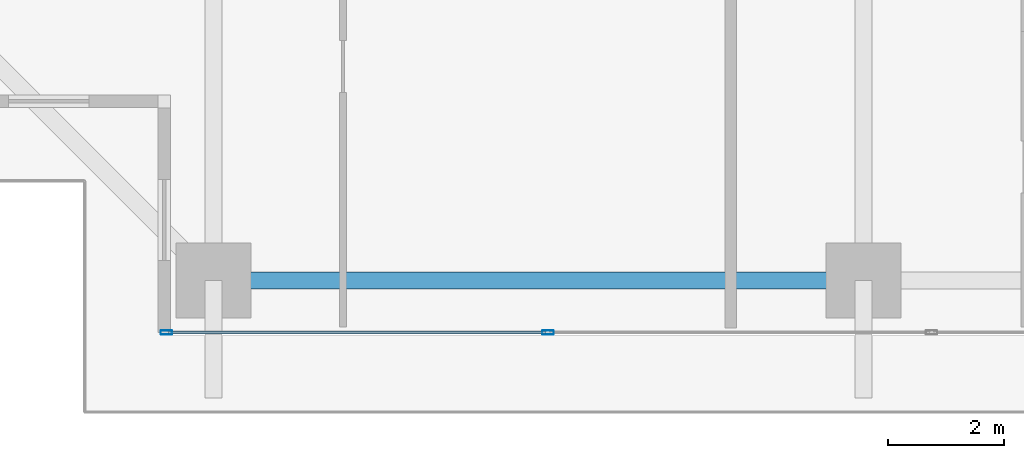
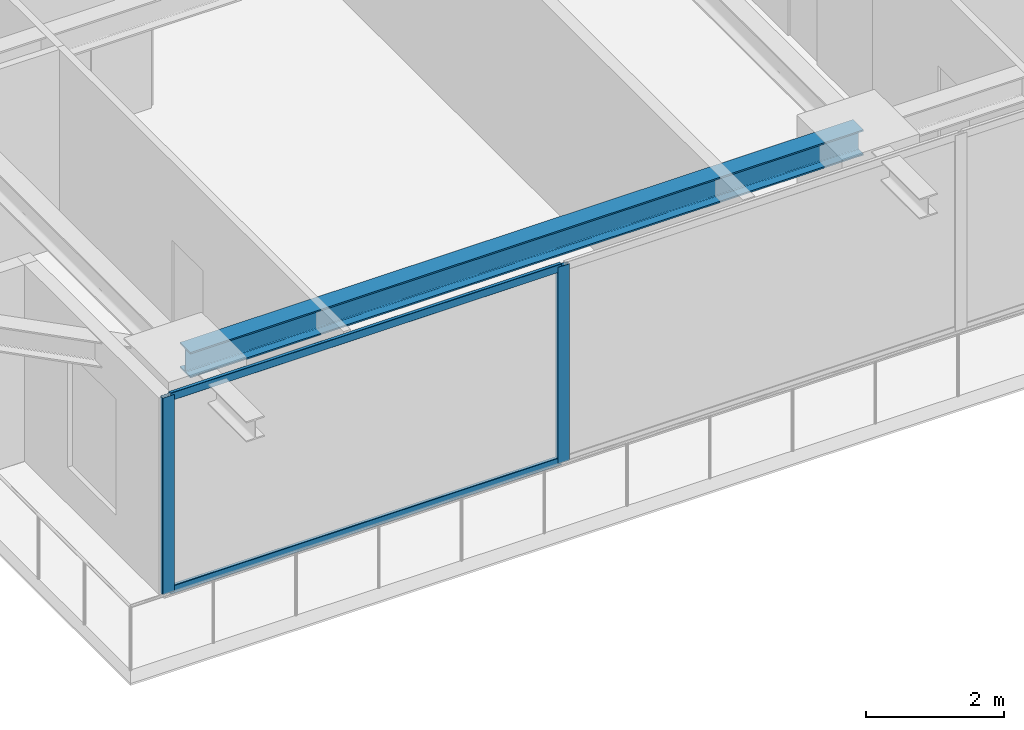
# One storey, part 2 of 34: 4 members, 1 beam, 1 element without a shape of its own.
"""IFC4 building model written with IfcOpenShell, lengths in metres."""

from ifc_helpers import new_model, si_unit, direction, frame, origin, origin_2d, place, context, subcontext, project, spatial, hollow_rectangle, i_section, extrude, source, transform, mapped, material, layer, layer_set, material_profile, profile_set, type_object, element, aggregate, save


model = new_model("IFC4")

# Units and contexts
model_context = context("Model", 3, precision=1e-05, world=origin(), true_north=direction((0.0, 1.0)))
body_context = subcontext(model_context, "Body", "Model", "MODEL_VIEW")
ifc_project = project(units=[si_unit("LENGTHUNIT", "METRE"), si_unit("AREAUNIT", "SQUARE_METRE"), si_unit("VOLUMEUNIT", "CUBIC_METRE"), si_unit("PLANEANGLEUNIT", "RADIAN"), si_unit("MASSUNIT", "GRAM", prefix="KILO")], contexts=[model_context])

# Site, building, storey
site_placement = place(None, origin())
site = spatial("IfcSite", under=ifc_project, at=site_placement, CompositionType="ELEMENT")
building_placement = place(site_placement, origin())
building = spatial("IfcBuilding", under=site, at=building_placement, Name="Serunith Strait Residences", CompositionType="ELEMENT")
storey_placement = place(building_placement, frame((0.0, 0.0, 180.14990234375)))
storey = spatial("IfcBuildingStorey", under=building, at=storey_placement, Name="L45", CompositionType="ELEMENT", Elevation=180.14990234375)

# Beam
ifc_material_1 = material(Name="Steel S355J2", Category="steel")
ifc_material_profile_1 = material_profile(ifc_material_1, i_section(OverallWidth=0.300048828125, OverallDepth=0.449951171875, WebThickness=0.013916015625, FlangeThickness=0.02587890625, FilletRadius=0.027099609375, at=origin_2d()), Name="HEB 450")
ifc_profile_set_1 = profile_set([ifc_material_profile_1], Name="Steel S355J2")
beam_type = type_object("IfcBeamType", Name="BM-HEB450", PredefinedType="BEAM", material=ifc_profile_set_1)
shared_shape_1 = source(origin(), body_context, "Body", "SweptSolid", [
    extrude(i_section(OverallWidth=0.300048828125, OverallDepth=0.449951171875, WebThickness=0.013916015625, FlangeThickness=0.02587890625, FilletRadius=0.027099609375, at=origin_2d()), origin(), (0.0, 0.0, 1.0), 11.25),
])
beam_placement = place(storey_placement, frame((16.64990234375, 2.300048828125, 3.26220703125), z_axis=(1.0, 0.0, 0.0), x_axis=(0.0, 1.0, 0.0)))
element("IfcBeam", 1, at=beam_placement, inside=storey, type_object=beam_type, Name="L45 Perimeter Ring Beam 01", PredefinedType="BEAM", context=body_context, shape_type="MappedRepresentation", body=[
    mapped(shared_shape_1, transform((0.0, 0.0, 0.0), scale=1.0)),
])

# Curtain wall, members
ifc_material_2 = material(Name="Pale-Champagne Anodised Aluminium", Category="aluminium")
ifc_layer = layer(ifc_material_2, 0.199951171875, Name="Pale-Champagne Anodised Aluminium")
ifc_layer_set = layer_set([ifc_layer], Name="Pale-Champagne Anodised Aluminium")
curtain_wall_type = type_object("IfcCurtainWallType", Name="CW-SYS2", PredefinedType="NOTDEFINED", material=ifc_layer_set)
curtain_wall_placement = place(storey_placement, origin())
curtain_wall = element("IfcCurtainWall", 2, at=curtain_wall_placement, inside=storey, type_object=curtain_wall_type, Name="L45 S Unitised Fritted Curtain Wall", PredefinedType="NOTDEFINED")
ifc_material_profile_2 = material_profile(ifc_material_2, hollow_rectangle(XDim=0.070068359375, YDim=0.199951171875, WallThickness=0.00390625, InnerFilletRadius=0.006103515625, OuterFilletRadius=0.010009765625, at=origin_2d()), Name="ALU 200x70x4")
ifc_profile_set_2 = profile_set([ifc_material_profile_2], Name="Pale-Champagne Anodised Aluminium")
member_type_1 = type_object("IfcMemberType", Name="CW-SYS2-MULL", PredefinedType="MULLION", material=ifc_profile_set_2)
shared_shape_2 = source(origin(), body_context, "Body", "SweptSolid", [
    extrude(hollow_rectangle(XDim=0.070068359375, YDim=0.199951171875, WallThickness=0.00390625, InnerFilletRadius=0.006103515625, OuterFilletRadius=0.010009765625, at=origin_2d()), origin(), (0.0, 0.0, 1.0), 3.47509765625),
])
member_1_placement = place(storey_placement, frame((15.8349609375, 1.39990234375, 0.0), z_axis=(0.0, 0.0, 1.0), x_axis=(0.0, 1.0, 0.0)))
member_1 = element("IfcMember", 3, at=member_1_placement, type_object=member_type_1, Name="CW-2 mullion 1", PredefinedType="MULLION", context=body_context, shape_type="MappedRepresentation", body=[
    mapped(shared_shape_2, transform((0.0, 0.0, 0.0), scale=1.0)),
])
member_2_placement = place(storey_placement, frame((22.43994140625, 1.39990234375, 0.0), z_axis=(0.0, 0.0, 1.0), x_axis=(0.0, 1.0, 0.0)))
member_2 = element("IfcMember", 4, at=member_2_placement, type_object=member_type_1, Name="CW-2 mullion 2", PredefinedType="MULLION", context=body_context, shape_type="MappedRepresentation", body=[
    mapped(shared_shape_2, transform((0.0, 0.0, 0.0), scale=1.0)),
])
ifc_material_profile_3 = material_profile(ifc_material_2, hollow_rectangle(XDim=0.06005859375, YDim=0.139892578125, WallThickness=0.00341796875, InnerFilletRadius=0.00537109375, OuterFilletRadius=0.0087890625, at=origin_2d()), Name="ALU 140x60x3.5")
ifc_profile_set_3 = profile_set([ifc_material_profile_3], Name="Pale-Champagne Anodised Aluminium")
member_type_2 = type_object("IfcMemberType", Name="CW-SYS2-TRAN", PredefinedType="USERDEFINED", material=ifc_profile_set_3)
shared_shape_3 = source(origin(), body_context, "Body", "SweptSolid", [
    extrude(hollow_rectangle(XDim=0.06005859375, YDim=0.139892578125, WallThickness=0.00341796875, InnerFilletRadius=0.00537109375, OuterFilletRadius=0.0087890625, at=origin_2d()), origin(), (0.0, 0.0, 1.0), 6.534912109375),
])
member_3_placement = place(storey_placement, frame((15.8701171875, 1.39990234375, 0.030029296875), z_axis=(1.0, 0.0, 0.0), x_axis=(0.0, 1.0, 0.0)))
member_3 = element("IfcMember", 5, at=member_3_placement, type_object=member_type_2, Name="CW-2 transom 1.1", ObjectType="TRANSOM", PredefinedType="USERDEFINED", context=body_context, shape_type="MappedRepresentation", body=[
    mapped(shared_shape_3, transform((0.0, 0.0, 0.0), scale=1.0)),
])
member_4_placement = place(storey_placement, frame((15.8701171875, 1.39990234375, 3.445068359375), z_axis=(1.0, 0.0, 0.0), x_axis=(0.0, 1.0, 0.0)))
member_4 = element("IfcMember", 6, at=member_4_placement, type_object=member_type_2, Name="CW-2 transom 1.2", ObjectType="TRANSOM", PredefinedType="USERDEFINED", context=body_context, shape_type="MappedRepresentation", body=[
    mapped(shared_shape_3, transform((0.0, 0.0, 0.0), scale=1.0)),
])
aggregate(curtain_wall, [member_1, member_2, member_3, member_4])

save(model, "model.ifc")
